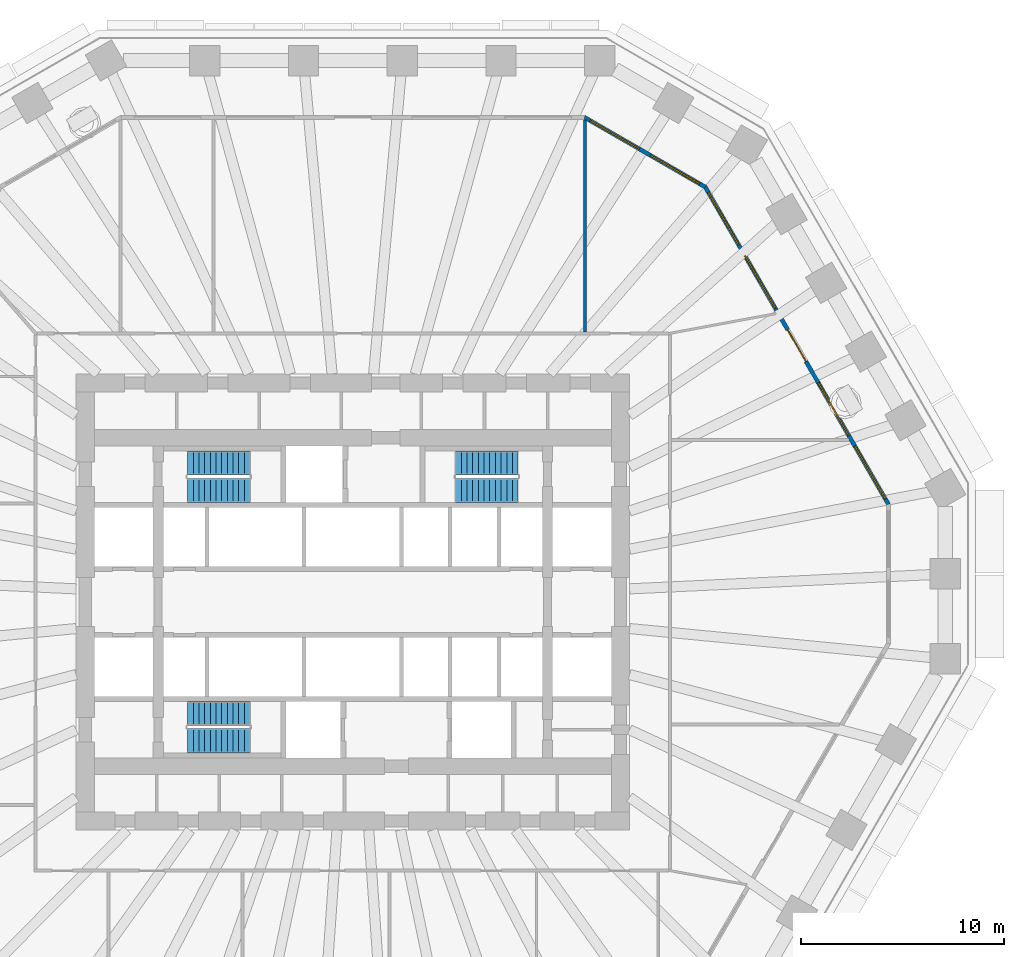
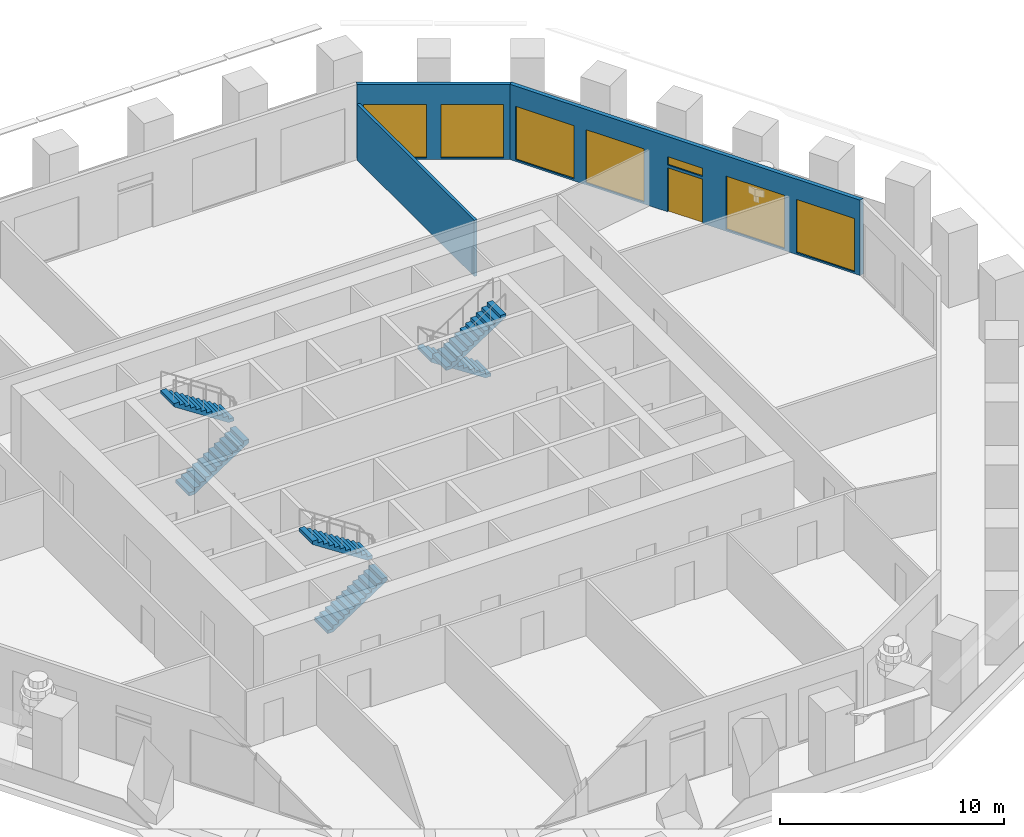
# One storey, part 8 of 12: 7 windows, 6 stair flights, 3 walls, 1 door, 8 openings, 3 elements without a shape of their own.
"""IFC4 building model written with IfcOpenShell, lengths in metres."""

from ifc_helpers import new_model, si_unit, direction, frame, frame_2d, origin, place, context, subcontext, project, spatial, polyline, rectangle, outline, extrude, material, layer, layer_set, type_object, element, fill, aggregate, save


model = new_model("IFC4")

# Units and contexts
model_context = context("Model", 3, precision=1e-05, world=origin(), true_north=direction((0.0, 1.0)))
body_context = subcontext(model_context, "Body", "Model", "MODEL_VIEW")
ifc_project = project(units=[si_unit("LENGTHUNIT", "METRE"), si_unit("AREAUNIT", "SQUARE_METRE"), si_unit("VOLUMEUNIT", "CUBIC_METRE"), si_unit("PLANEANGLEUNIT", "RADIAN"), si_unit("MASSUNIT", "GRAM", prefix="KILO")], contexts=[model_context])

# Site, building, storey
site_placement = place(None, origin())
site = spatial("IfcSite", under=ifc_project, at=site_placement, CompositionType="ELEMENT")
building_placement = place(site_placement, origin())
building = spatial("IfcBuilding", under=site, at=building_placement, Name="Frailejon Research Tower", CompositionType="ELEMENT")
storey_placement = place(building_placement, frame((0.0, 0.0, 63.0)))
storey = spatial("IfcBuildingStorey", under=building, at=storey_placement, Name="L14", CompositionType="ELEMENT", Elevation=63.0)

# Wall
ifc_material_1 = material(Name="Gypsum board and masonry partition", Category="masonry")
ifc_layer_1 = layer(ifc_material_1, 0.14990234375)
ifc_layer_set_1 = layer_set([ifc_layer_1], Name="Laboratory partition, blockwork 150")
wall_type_1 = type_object("IfcWallType", Name="Laboratory partition, blockwork 150", PredefinedType="PARTITIONING", material=ifc_layer_set_1)
wall_1_placement = place(storey_placement, frame((11.453125, 13.324951171875, 0.0), z_axis=(0.0, 0.0, 1.0), x_axis=(0.0, 1.0, 0.0)))
element("IfcWall", 1, at=wall_1_placement, inside=storey, type_object=wall_type_1, Name="T:IW:L14:007", PredefinedType="PARTITIONING", context=body_context, shape_type="SweptSolid", body=[
    extrude(rectangle(XDim=10.444091796875, YDim=0.14990234375, at=frame_2d((5.22216796875, 0.0))), origin(), (0.0, 0.0, 1.0), 3.050048828125),
])

# Wall, openings, door, windows
ifc_material_2 = material(Name="Concrete C40/50 precast window wall panel", Category="concrete")
ifc_layer_2 = layer(ifc_material_2, 0.199951171875)
ifc_layer_set_2 = layer_set([ifc_layer_2], Name="Window wall 200")
wall_type_2 = type_object("IfcWallType", Name="Window wall 200", PredefinedType="SOLIDWALL", material=ifc_layer_set_2)
wall_2_placement = place(storey_placement, frame((26.4111328125, 4.820068359375, 0.0), z_axis=(0.0, 0.0, 1.0), x_axis=(-0.500000137386, 0.866025324465, 0.0)))
wall_2 = element("IfcWall", 2, at=wall_2_placement, inside=storey, type_object=wall_type_2, Name="Exterior wall L14", PredefinedType="SOLIDWALL", context=body_context, shape_type="SweptSolid", body=[
    extrude(outline(polyline([(-0.02685546875, -0.10009765625), (0.9794921875, -0.10009765625), (1.986083984375, -0.10009765625), (2.992431640625, -0.10009765625), (3.9990234375, -0.10009765625), (5.00537109375, -0.10009765625), (6.011962890625, -0.10009765625), (7.018310546875, -0.10009765625), (8.02490234375, -0.10009765625), (9.03125, -0.10009765625), (10.03759765625, -0.10009765625), (11.044189453125, -0.10009765625), (12.050537109375, -0.10009765625), (13.05712890625, -0.10009765625), (14.0634765625, -0.10009765625), (15.070068359375, -0.10009765625), (16.076416015625, -0.10009765625), (17.0830078125, -0.10009765625), (18.08935546875, -0.10009765625), (18.03564453125, 0.10009765625), (17.03515625, 0.10009765625), (16.03466796875, 0.10009765625), (15.0341796875, 0.10009765625), (14.03369140625, 0.10009765625), (13.033203125, 0.10009765625), (12.03271484375, 0.10009765625), (11.0322265625, 0.10009765625), (10.03173828125, 0.10009765625), (9.03125, 0.10009765625), (8.03076171875, 0.10009765625), (7.0302734375, 0.10009765625), (6.02978515625, 0.10009765625), (5.029296875, 0.10009765625), (4.02880859375, 0.10009765625), (3.0283203125, 0.10009765625), (2.02783203125, 0.10009765625), (1.02734375, 0.10009765625), (0.02685546875, 0.10009765625), (-0.02685546875, -0.10009765625)])), origin(), (0.0, 0.0, 1.0), 4.10009765625),
])
opening_1_placement = place(wall_2_placement, frame((0.306396484375, 0.0, 0.10009765625)))
opening_1 = element("IfcOpeningElement", 3, at=opening_1_placement, cuts=wall_2, Name="Opening W4", PredefinedType="OPENING", context=body_context, shape_type="SweptSolid", body=[
    extrude(rectangle(XDim=3.0, YDim=2.89990234375, at=frame_2d((1.5, 1.449951171875))), frame((0.0, 0.10986328125, 0.0), z_axis=(0.0, -1.0, 0.0), x_axis=(1.0, 0.0, 0.0)), (0.0, 0.0, 1.0), 0.219970703125),
])
opening_2_placement = place(wall_2_placement, frame((3.918701171875, 0.0, 0.10009765625)))
opening_2 = element("IfcOpeningElement", 4, at=opening_2_placement, cuts=wall_2, Name="Opening W4", PredefinedType="OPENING", context=body_context, shape_type="SweptSolid", body=[
    extrude(rectangle(XDim=3.0, YDim=2.89990234375, at=frame_2d((1.5, 1.449951171875))), frame((0.0, 0.10986328125, 0.0), z_axis=(0.0, -1.0, 0.0), x_axis=(1.0, 0.0, 0.0)), (0.0, 0.0, 1.0), 0.219970703125),
])
opening_3_placement = place(wall_2_placement, frame((8.13134765625, 0.0, 0.0)))
opening_3 = element("IfcOpeningElement", 5, at=opening_3_placement, cuts=wall_2, Name="Opening LG14-1", PredefinedType="OPENING", context=body_context, shape_type="SweptSolid", body=[
    extrude(rectangle(XDim=1.800048828125, YDim=2.39990234375, at=frame_2d((0.89990234375, 1.199951171875))), frame((0.0, 0.10986328125, 0.0), z_axis=(0.0, -1.0, 0.0), x_axis=(1.0, 0.0, 0.0)), (0.0, 0.0, 1.0), 0.219970703125),
])
opening_4_placement = place(wall_2_placement, frame((8.13134765625, 0.0, 2.550048828125)))
opening_4 = element("IfcOpeningElement", 6, at=opening_4_placement, cuts=wall_2, Name="Opening W1", PredefinedType="OPENING", context=body_context, shape_type="SweptSolid", body=[
    extrude(rectangle(XDim=1.800048828125, YDim=0.449951171875, at=frame_2d((0.89990234375, 0.22509765625))), frame((0.0, 0.10986328125, 0.0), z_axis=(0.0, -1.0, 0.0), x_axis=(1.0, 0.0, 0.0)), (0.0, 0.0, 1.0), 0.219970703125),
])
opening_5_placement = place(wall_2_placement, frame((11.143798828125, 0.0, 0.10009765625)))
opening_5 = element("IfcOpeningElement", 7, at=opening_5_placement, cuts=wall_2, Name="Opening W4", PredefinedType="OPENING", context=body_context, shape_type="SweptSolid", body=[
    extrude(rectangle(XDim=3.0, YDim=2.89990234375, at=frame_2d((1.5, 1.449951171875))), frame((0.0, 0.10986328125, 0.0), z_axis=(0.0, -1.0, 0.0), x_axis=(1.0, 0.0, 0.0)), (0.0, 0.0, 1.0), 0.219970703125),
])
opening_6_placement = place(wall_2_placement, frame((14.75634765625, 0.0, 0.10009765625)))
opening_6 = element("IfcOpeningElement", 8, at=opening_6_placement, cuts=wall_2, Name="Opening W4", PredefinedType="OPENING", context=body_context, shape_type="SweptSolid", body=[
    extrude(rectangle(XDim=3.0, YDim=2.89990234375, at=frame_2d((1.5, 1.449951171875))), frame((0.0, 0.10986328125, 0.0), z_axis=(0.0, -1.0, 0.0), x_axis=(1.0, 0.0, 0.0)), (0.0, 0.0, 1.0), 0.219970703125),
])
ifc_material_3 = material(Name="Aluminium framed glazed door leaf", Category="aluminium")
door_type = type_object("IfcDoorType", Name="Loggia door 1800x2400", OperationType="DOUBLE_DOOR_SINGLE_SWING", PredefinedType="DOOR", material=ifc_material_3)
door_placement = place(opening_3_placement, origin())
door = element("IfcDoor", 9, at=door_placement, inside=storey, type_object=door_type, Name="Door LG14-1", OperationType="DOUBLE_DOOR_SINGLE_SWING", OverallHeight=2.39990234375, OverallWidth=1.800048828125, PredefinedType="DOOR", context=body_context, shape_type="SweptSolid", body=[
    extrude(rectangle(XDim=1.800048828125, YDim=2.39990234375, at=frame_2d((0.89990234375, 1.199951171875))), frame((0.0, 0.02490234375, 0.0), z_axis=(0.0, -1.0, 0.0), x_axis=(1.0, 0.0, 0.0)), (0.0, 0.0, 1.0), 0.050048828125),
])
fill(opening_3, door)
ifc_material_4 = material(Name="Aluminium framed double glazing", Category="aluminium")
window_type_1 = type_object("IfcWindowType", Name="Window 1800x450", PartitioningType="SINGLE_PANEL", PredefinedType="WINDOW", material=ifc_material_4)
window_1_placement = place(opening_4_placement, origin())
window_1 = element("IfcWindow", 10, at=window_1_placement, inside=storey, type_object=window_type_1, Name="Window L14", OverallHeight=0.449951171875, OverallWidth=1.800048828125, PartitioningType="SINGLE_PANEL", PredefinedType="WINDOW", context=body_context, shape_type="SweptSolid", body=[
    extrude(rectangle(XDim=1.800048828125, YDim=0.449951171875, at=frame_2d((0.89990234375, 0.22509765625))), frame((0.0, 0.030029296875, 0.0), z_axis=(0.0, -1.0, 0.0), x_axis=(1.0, 0.0, 0.0)), (0.0, 0.0, 1.0), 0.06005859375),
])
fill(opening_4, window_1)
ifc_material_5 = material(Name="Aluminium framed double glazing", Category="aluminium")
window_type_2 = type_object("IfcWindowType", Name="Window 3000x2900", PartitioningType="SINGLE_PANEL", PredefinedType="WINDOW", material=ifc_material_5)
window_2_placement = place(opening_1_placement, origin())
window_2 = element("IfcWindow", 11, at=window_2_placement, inside=storey, type_object=window_type_2, Name="Window L14", OverallHeight=2.89990234375, OverallWidth=3.0, PartitioningType="SINGLE_PANEL", PredefinedType="WINDOW", context=body_context, shape_type="SweptSolid", body=[
    extrude(rectangle(XDim=3.0, YDim=2.89990234375, at=frame_2d((1.5, 1.449951171875))), frame((0.0, 0.030029296875, 0.0), z_axis=(0.0, -1.0, 0.0), x_axis=(1.0, 0.0, 0.0)), (0.0, 0.0, 1.0), 0.06005859375),
])
fill(opening_1, window_2)
window_3_placement = place(opening_2_placement, origin())
window_3 = element("IfcWindow", 12, at=window_3_placement, inside=storey, type_object=window_type_2, Name="Window L14", OverallHeight=2.89990234375, OverallWidth=3.0, PartitioningType="SINGLE_PANEL", PredefinedType="WINDOW", context=body_context, shape_type="SweptSolid", body=[
    extrude(rectangle(XDim=3.0, YDim=2.89990234375, at=frame_2d((1.5, 1.449951171875))), frame((0.0, 0.030029296875, 0.0), z_axis=(0.0, -1.0, 0.0), x_axis=(1.0, 0.0, 0.0)), (0.0, 0.0, 1.0), 0.06005859375),
])
fill(opening_2, window_3)
window_4_placement = place(opening_5_placement, origin())
window_4 = element("IfcWindow", 13, at=window_4_placement, inside=storey, type_object=window_type_2, Name="Window L14", OverallHeight=2.89990234375, OverallWidth=3.0, PartitioningType="SINGLE_PANEL", PredefinedType="WINDOW", context=body_context, shape_type="SweptSolid", body=[
    extrude(rectangle(XDim=3.0, YDim=2.89990234375, at=frame_2d((1.5, 1.449951171875))), frame((0.0, 0.030029296875, 0.0), z_axis=(0.0, -1.0, 0.0), x_axis=(1.0, 0.0, 0.0)), (0.0, 0.0, 1.0), 0.06005859375),
])
fill(opening_5, window_4)
window_5_placement = place(opening_6_placement, origin())
window_5 = element("IfcWindow", 14, at=window_5_placement, inside=storey, type_object=window_type_2, Name="Window L14", OverallHeight=2.89990234375, OverallWidth=3.0, PartitioningType="SINGLE_PANEL", PredefinedType="WINDOW", context=body_context, shape_type="SweptSolid", body=[
    extrude(rectangle(XDim=3.0, YDim=2.89990234375, at=frame_2d((1.5, 1.449951171875))), frame((0.0, 0.030029296875, 0.0), z_axis=(0.0, -1.0, 0.0), x_axis=(1.0, 0.0, 0.0)), (0.0, 0.0, 1.0), 0.06005859375),
])
fill(opening_6, window_5)

# Wall, openings, windows
wall_3_placement = place(storey_placement, frame((17.3798828125, 20.462646484375, 0.0), z_axis=(0.0, 0.0, 1.0), x_axis=(-0.866029458321, 0.49999297727, 0.0)))
wall_3 = element("IfcWall", 15, at=wall_3_placement, inside=storey, type_object=wall_type_2, Name="Exterior wall L14", PredefinedType="SOLIDWALL", context=body_context, shape_type="SweptSolid", body=[
    extrude(outline(polyline([(-0.02685546875, -0.10009765625), (1.1279296875, -0.10009765625), (2.282470703125, -0.10009765625), (3.437255859375, -0.10009765625), (4.592041015625, -0.10009765625), (5.74658203125, -0.10009765625), (6.9013671875, -0.10009765625), (6.84765625, 0.10009765625), (5.7109375, 0.10009765625), (4.573974609375, 0.10009765625), (3.437255859375, 0.10009765625), (2.300537109375, 0.10009765625), (1.16357421875, 0.10009765625), (0.02685546875, 0.10009765625), (-0.02685546875, -0.10009765625)])), origin(), (0.0, 0.0, 1.0), 4.10009765625),
])
opening_7_placement = place(wall_3_placement, frame((0.318603515625, 0.0, 0.10009765625)))
opening_7 = element("IfcOpeningElement", 16, at=opening_7_placement, cuts=wall_3, Name="Opening W3", PredefinedType="OPENING", context=body_context, shape_type="SweptSolid", body=[
    extrude(rectangle(XDim=2.800048828125, YDim=2.89990234375, at=frame_2d((1.39990234375, 1.449951171875))), frame((0.0, 0.10986328125, 0.0), z_axis=(0.0, -1.0, 0.0), x_axis=(1.0, 0.0, 0.0)), (0.0, 0.0, 1.0), 0.219970703125),
])
opening_8_placement = place(wall_3_placement, frame((3.756103515625, 0.0, 0.10009765625)))
opening_8 = element("IfcOpeningElement", 17, at=opening_8_placement, cuts=wall_3, Name="Opening W3", PredefinedType="OPENING", context=body_context, shape_type="SweptSolid", body=[
    extrude(rectangle(XDim=2.800048828125, YDim=2.89990234375, at=frame_2d((1.39990234375, 1.449951171875))), frame((0.0, 0.10986328125, 0.0), z_axis=(0.0, -1.0, 0.0), x_axis=(1.0, 0.0, 0.0)), (0.0, 0.0, 1.0), 0.219970703125),
])
ifc_material_6 = material(Name="Aluminium framed double glazing", Category="aluminium")
window_type_3 = type_object("IfcWindowType", Name="Window 2800x2900", PartitioningType="SINGLE_PANEL", PredefinedType="WINDOW", material=ifc_material_6)
window_6_placement = place(opening_7_placement, origin())
window_6 = element("IfcWindow", 18, at=window_6_placement, inside=storey, type_object=window_type_3, Name="Window L14", OverallHeight=2.89990234375, OverallWidth=2.800048828125, PartitioningType="SINGLE_PANEL", PredefinedType="WINDOW", context=body_context, shape_type="SweptSolid", body=[
    extrude(rectangle(XDim=2.800048828125, YDim=2.89990234375, at=frame_2d((1.39990234375, 1.449951171875))), frame((0.0, 0.030029296875, 0.0), z_axis=(0.0, -1.0, 0.0), x_axis=(1.0, 0.0, 0.0)), (0.0, 0.0, 1.0), 0.06005859375),
])
fill(opening_7, window_6)
window_7_placement = place(opening_8_placement, origin())
window_7 = element("IfcWindow", 19, at=window_7_placement, inside=storey, type_object=window_type_3, Name="Window L14", OverallHeight=2.89990234375, OverallWidth=2.800048828125, PartitioningType="SINGLE_PANEL", PredefinedType="WINDOW", context=body_context, shape_type="SweptSolid", body=[
    extrude(rectangle(XDim=2.800048828125, YDim=2.89990234375, at=frame_2d((1.39990234375, 1.449951171875))), frame((0.0, 0.030029296875, 0.0), z_axis=(0.0, -1.0, 0.0), x_axis=(1.0, 0.0, 0.0)), (0.0, 0.0, 1.0), 0.06005859375),
])
fill(opening_8, window_7)

# Stair, stair flights
ifc_material_7 = material(Name="Concrete C50/60", Category="concrete")
stair_type = type_object("IfcStairType", Name="Exit stair 24 risers", PredefinedType="HALF_TURN_STAIR", material=ifc_material_7)
stair_1_placement = place(storey_placement, origin())
stair_1 = element("IfcStair", 20, at=stair_1_placement, inside=storey, type_object=stair_type, Name="L14 Exit stair ST1", PredefinedType="HALF_TURN_STAIR")
ifc_material_8 = material(Name="Concrete C50/60", Category="concrete")
ifc_layer_3 = layer(ifc_material_8, 0.14990234375)
ifc_layer_set_3 = layer_set([ifc_layer_3], Name="Stair flight 12 risers")
stair_flight_type = type_object("IfcStairFlightType", Name="Stair flight 12 risers", PredefinedType="STRAIGHT", material=ifc_layer_set_3)
stair_flight_1_placement = place(storey_placement, frame((-8.14990234375, 5.5, 0.0), z_axis=(0.0, 0.0, 1.0), x_axis=(1.0, 0.0, 0.0)))
stair_flight_1 = element("IfcStairFlight", 21, at=stair_flight_1_placement, type_object=stair_flight_type, Name="ST1 flight 1", NumberOfRisers=12, NumberOfTreads=11, PredefinedType="STRAIGHT", RiserHeight=0.183333333, TreadLength=0.28, context=body_context, shape_type="SweptSolid", body=[
    extrude(outline(polyline([(0.0, 0.0), (0.0, 0.183349609375), (0.280029296875, 0.183349609375), (0.280029296875, 0.36669921875), (0.56005859375, 0.36669921875), (0.56005859375, 0.550048828125), (0.840087890625, 0.550048828125), (0.840087890625, 0.7333984375), (1.1201171875, 0.7333984375), (1.1201171875, 0.916748046875), (1.39990234375, 0.916748046875), (1.39990234375, 1.10009765625), (1.679931640625, 1.10009765625), (1.679931640625, 1.283447265625), (1.9599609375, 1.283447265625), (1.9599609375, 1.466552734375), (2.239990234375, 1.466552734375), (2.239990234375, 1.64990234375), (2.52001953125, 1.64990234375), (2.52001953125, 1.833251953125), (2.800048828125, 1.833251953125), (2.800048828125, 2.0166015625), (3.080078125, 2.0166015625), (3.080078125, 2.199951171875), (3.080078125, 1.83740234375), (0.273681640625, 0.0), (0.0, 0.0)])), frame((0.0, 0.60009765625, 0.0), z_axis=(0.0, -1.0, 0.0), x_axis=(1.0, 0.0, 0.0)), (0.0, 0.0, 1.0), 1.199951171875),
])
stair_flight_2_placement = place(storey_placement, frame((-5.070068359375, 6.85009765625, 2.199951171875), z_axis=(0.0, 0.0, 1.0), x_axis=(-1.0, 0.0, 0.0)))
stair_flight_2 = element("IfcStairFlight", 22, at=stair_flight_2_placement, type_object=stair_flight_type, Name="ST1 flight 2", NumberOfRisers=12, NumberOfTreads=11, PredefinedType="STRAIGHT", RiserHeight=0.183333333, TreadLength=0.28, context=body_context, shape_type="SweptSolid", body=[
    extrude(outline(polyline([(0.0, 0.0), (0.0, 0.183349609375), (0.280029296875, 0.183349609375), (0.280029296875, 0.36669921875), (0.56005859375, 0.36669921875), (0.56005859375, 0.550048828125), (0.840087890625, 0.550048828125), (0.840087890625, 0.7333984375), (1.1201171875, 0.7333984375), (1.1201171875, 0.916748046875), (1.39990234375, 0.916748046875), (1.39990234375, 1.10009765625), (1.679931640625, 1.10009765625), (1.679931640625, 1.283447265625), (1.9599609375, 1.283447265625), (1.9599609375, 1.466552734375), (2.239990234375, 1.466552734375), (2.239990234375, 1.64990234375), (2.52001953125, 1.64990234375), (2.52001953125, 1.833251953125), (2.800048828125, 1.833251953125), (2.800048828125, 2.0166015625), (3.080078125, 2.0166015625), (3.080078125, 2.199951171875), (3.080078125, 1.83740234375), (0.273681640625, 0.0), (0.0, 0.0)])), frame((0.0, 0.60009765625, 0.0), z_axis=(0.0, -1.0, 0.0), x_axis=(1.0, 0.0, 0.0)), (0.0, 0.0, 1.0), 1.199951171875),
])
aggregate(stair_1, [stair_flight_1, stair_flight_2])

stair_2_placement = place(storey_placement, origin())
stair_2 = element("IfcStair", 23, at=stair_2_placement, inside=storey, type_object=stair_type, Name="L14 Exit stair ST2", PredefinedType="HALF_TURN_STAIR")
stair_flight_3_placement = place(storey_placement, frame((-8.14990234375, -6.85009765625, 0.0), z_axis=(0.0, 0.0, 1.0), x_axis=(1.0, 0.0, 0.0)))
stair_flight_3 = element("IfcStairFlight", 24, at=stair_flight_3_placement, type_object=stair_flight_type, Name="ST2 flight 1", NumberOfRisers=12, NumberOfTreads=11, PredefinedType="STRAIGHT", RiserHeight=0.183333333, TreadLength=0.28, context=body_context, shape_type="SweptSolid", body=[
    extrude(outline(polyline([(0.0, 0.0), (0.0, 0.183349609375), (0.280029296875, 0.183349609375), (0.280029296875, 0.36669921875), (0.56005859375, 0.36669921875), (0.56005859375, 0.550048828125), (0.840087890625, 0.550048828125), (0.840087890625, 0.7333984375), (1.1201171875, 0.7333984375), (1.1201171875, 0.916748046875), (1.39990234375, 0.916748046875), (1.39990234375, 1.10009765625), (1.679931640625, 1.10009765625), (1.679931640625, 1.283447265625), (1.9599609375, 1.283447265625), (1.9599609375, 1.466552734375), (2.239990234375, 1.466552734375), (2.239990234375, 1.64990234375), (2.52001953125, 1.64990234375), (2.52001953125, 1.833251953125), (2.800048828125, 1.833251953125), (2.800048828125, 2.0166015625), (3.080078125, 2.0166015625), (3.080078125, 2.199951171875), (3.080078125, 1.83740234375), (0.273681640625, 0.0), (0.0, 0.0)])), frame((0.0, 0.60009765625, 0.0), z_axis=(0.0, -1.0, 0.0), x_axis=(1.0, 0.0, 0.0)), (0.0, 0.0, 1.0), 1.199951171875),
])
stair_flight_4_placement = place(storey_placement, frame((-5.070068359375, -5.5, 2.199951171875), z_axis=(0.0, 0.0, 1.0), x_axis=(-1.0, 0.0, 0.0)))
stair_flight_4 = element("IfcStairFlight", 25, at=stair_flight_4_placement, type_object=stair_flight_type, Name="ST2 flight 2", NumberOfRisers=12, NumberOfTreads=11, PredefinedType="STRAIGHT", RiserHeight=0.183333333, TreadLength=0.28, context=body_context, shape_type="SweptSolid", body=[
    extrude(outline(polyline([(0.0, 0.0), (0.0, 0.183349609375), (0.280029296875, 0.183349609375), (0.280029296875, 0.36669921875), (0.56005859375, 0.36669921875), (0.56005859375, 0.550048828125), (0.840087890625, 0.550048828125), (0.840087890625, 0.7333984375), (1.1201171875, 0.7333984375), (1.1201171875, 0.916748046875), (1.39990234375, 0.916748046875), (1.39990234375, 1.10009765625), (1.679931640625, 1.10009765625), (1.679931640625, 1.283447265625), (1.9599609375, 1.283447265625), (1.9599609375, 1.466552734375), (2.239990234375, 1.466552734375), (2.239990234375, 1.64990234375), (2.52001953125, 1.64990234375), (2.52001953125, 1.833251953125), (2.800048828125, 1.833251953125), (2.800048828125, 2.0166015625), (3.080078125, 2.0166015625), (3.080078125, 2.199951171875), (3.080078125, 1.83740234375), (0.273681640625, 0.0), (0.0, 0.0)])), frame((0.0, 0.60009765625, 0.0), z_axis=(0.0, -1.0, 0.0), x_axis=(1.0, 0.0, 0.0)), (0.0, 0.0, 1.0), 1.199951171875),
])
aggregate(stair_2, [stair_flight_3, stair_flight_4])

stair_3_placement = place(storey_placement, origin())
stair_3 = element("IfcStair", 26, at=stair_3_placement, inside=storey, type_object=stair_type, Name="L14 Exit stair ST3", PredefinedType="HALF_TURN_STAIR")
stair_flight_5_placement = place(storey_placement, frame((8.14990234375, 6.85009765625, 0.0), z_axis=(0.0, 0.0, 1.0), x_axis=(-1.0, 0.0, 0.0)))
stair_flight_5 = element("IfcStairFlight", 27, at=stair_flight_5_placement, type_object=stair_flight_type, Name="ST3 flight 1", NumberOfRisers=12, NumberOfTreads=11, PredefinedType="STRAIGHT", RiserHeight=0.183333333, TreadLength=0.28, context=body_context, shape_type="SweptSolid", body=[
    extrude(outline(polyline([(0.0, 0.0), (0.0, 0.183349609375), (0.280029296875, 0.183349609375), (0.280029296875, 0.36669921875), (0.56005859375, 0.36669921875), (0.56005859375, 0.550048828125), (0.840087890625, 0.550048828125), (0.840087890625, 0.7333984375), (1.1201171875, 0.7333984375), (1.1201171875, 0.916748046875), (1.39990234375, 0.916748046875), (1.39990234375, 1.10009765625), (1.679931640625, 1.10009765625), (1.679931640625, 1.283447265625), (1.9599609375, 1.283447265625), (1.9599609375, 1.466552734375), (2.239990234375, 1.466552734375), (2.239990234375, 1.64990234375), (2.52001953125, 1.64990234375), (2.52001953125, 1.833251953125), (2.800048828125, 1.833251953125), (2.800048828125, 2.0166015625), (3.080078125, 2.0166015625), (3.080078125, 2.199951171875), (3.080078125, 1.83740234375), (0.273681640625, 0.0), (0.0, 0.0)])), frame((0.0, 0.60009765625, 0.0), z_axis=(0.0, -1.0, 0.0), x_axis=(1.0, 0.0, 0.0)), (0.0, 0.0, 1.0), 1.199951171875),
])
stair_flight_6_placement = place(storey_placement, frame((5.070068359375, 5.5, 2.199951171875), z_axis=(0.0, 0.0, 1.0), x_axis=(1.0, 0.0, 0.0)))
stair_flight_6 = element("IfcStairFlight", 28, at=stair_flight_6_placement, type_object=stair_flight_type, Name="ST3 flight 2", NumberOfRisers=12, NumberOfTreads=11, PredefinedType="STRAIGHT", RiserHeight=0.183333333, TreadLength=0.28, context=body_context, shape_type="SweptSolid", body=[
    extrude(outline(polyline([(0.0, 0.0), (0.0, 0.183349609375), (0.280029296875, 0.183349609375), (0.280029296875, 0.36669921875), (0.56005859375, 0.36669921875), (0.56005859375, 0.550048828125), (0.840087890625, 0.550048828125), (0.840087890625, 0.7333984375), (1.1201171875, 0.7333984375), (1.1201171875, 0.916748046875), (1.39990234375, 0.916748046875), (1.39990234375, 1.10009765625), (1.679931640625, 1.10009765625), (1.679931640625, 1.283447265625), (1.9599609375, 1.283447265625), (1.9599609375, 1.466552734375), (2.239990234375, 1.466552734375), (2.239990234375, 1.64990234375), (2.52001953125, 1.64990234375), (2.52001953125, 1.833251953125), (2.800048828125, 1.833251953125), (2.800048828125, 2.0166015625), (3.080078125, 2.0166015625), (3.080078125, 2.199951171875), (3.080078125, 1.83740234375), (0.273681640625, 0.0), (0.0, 0.0)])), frame((0.0, 0.60009765625, 0.0), z_axis=(0.0, -1.0, 0.0), x_axis=(1.0, 0.0, 0.0)), (0.0, 0.0, 1.0), 1.199951171875),
])
aggregate(stair_3, [stair_flight_5, stair_flight_6])

save(model, "model.ifc")
